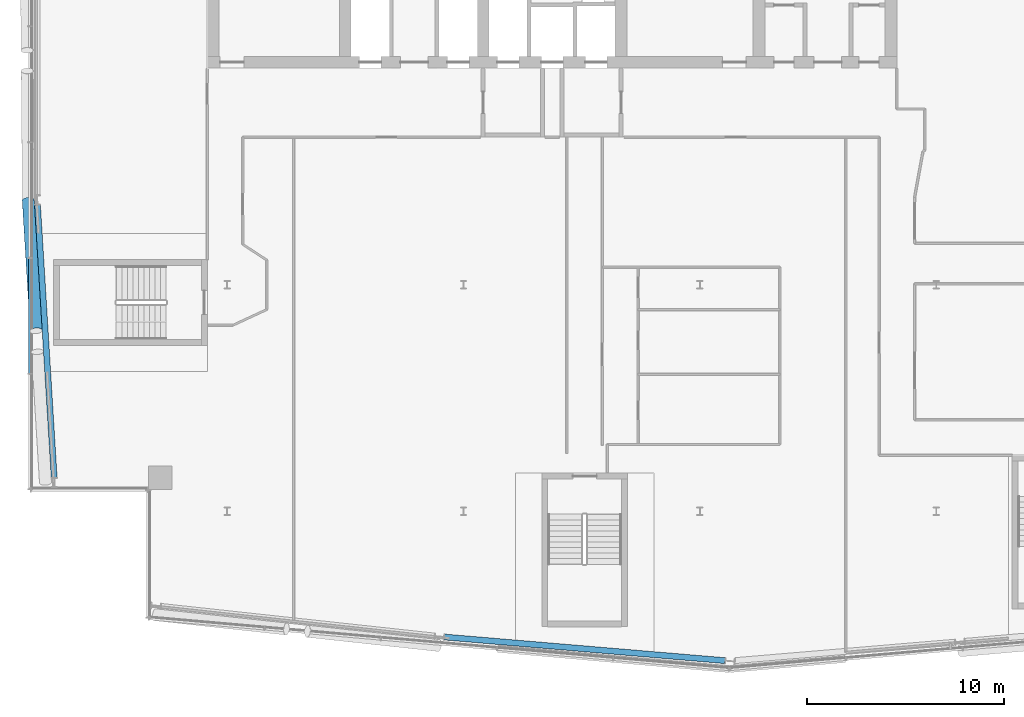
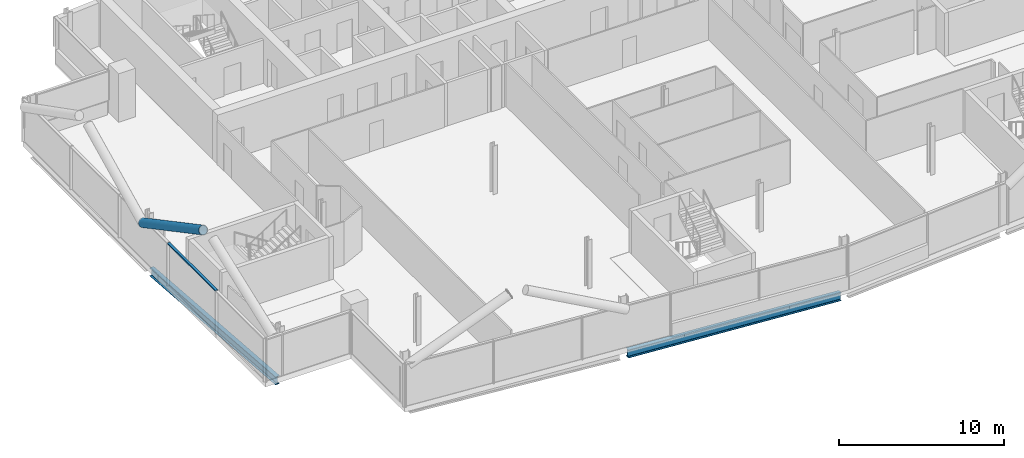
# One storey, part 6 of 25: 2 beams, 2 members, 1 element without a shape of its own.
"""IFC4 building model written with IfcOpenShell, lengths in metres."""

from ifc_helpers import new_model, si_unit, direction, frame, origin, origin_2d, place, context, subcontext, project, spatial, rectangle, hollow_circle, i_section, extrude, material, material_profile, profile_set, type_object, element, aggregate, save


model = new_model("IFC4")

# Units and contexts
model_context = context("Model", 3, precision=1e-05, world=origin(), true_north=direction((0.0, 1.0)))
body_context = subcontext(model_context, "Body", "Model", "MODEL_VIEW")
ifc_project = project(units=[si_unit("LENGTHUNIT", "METRE"), si_unit("AREAUNIT", "SQUARE_METRE"), si_unit("VOLUMEUNIT", "CUBIC_METRE"), si_unit("PLANEANGLEUNIT", "RADIAN"), si_unit("MASSUNIT", "GRAM", prefix="KILO")], contexts=[model_context])

# Site, building, storey
site_placement = place(None, origin())
site = spatial("IfcSite", under=ifc_project, at=site_placement, CompositionType="ELEMENT")
building_placement = place(site_placement, origin())
building = spatial("IfcBuilding", under=site, at=building_placement, Name="Wharfspan Tower", CompositionType="ELEMENT")
storey_placement = place(building_placement, frame((0.0, 0.0, 232.300049)))
storey = spatial("IfcBuildingStorey", under=building, at=storey_placement, Name="L58", CompositionType="ELEMENT", Elevation=232.300049)

# Beams
ifc_material_1 = material(Name="Steel S355J2", Category="steel")
ifc_material_profile_1 = material_profile(ifc_material_1, i_section(OverallWidth=0.300049, OverallDepth=0.600098, WebThickness=0.015381, FlangeThickness=0.030029, FilletRadius=0.0271, at=origin_2d()))
ifc_profile_set_1 = profile_set([ifc_material_profile_1], Name="Steel S355J2")
beam_type = type_object("IfcBeamType", Name="Edge beam HEB 600", PredefinedType="SPANDREL", material=ifc_profile_set_1)
beam_1_placement = place(storey_placement, frame((35.038574, 5.121582, -0.699951), z_axis=(0.996473, -0.083909, 0.0), x_axis=(0.083909, 0.996473, 0.0)))
element("IfcBeam", 1, at=beam_1_placement, inside=storey, type_object=beam_type, Name="Edge beam S1 L58 PS1.2 to PS1.3", PredefinedType="SPANDREL", context=body_context, shape_type="SweptSolid", body=[
    extrude(i_section(OverallWidth=0.300049, OverallDepth=0.600098, WebThickness=0.015381, FlangeThickness=0.030029, FilletRadius=0.0271, at=origin_2d()), origin(), (0.0, 0.0, 1.0), 14.277344),
])
beam_2_placement = place(storey_placement, frame((14.375732, 27.041992, -0.699951), z_axis=(0.061113, -0.998131, 0.0), x_axis=(0.998131, 0.061113, 0.0)))
element("IfcBeam", 2, at=beam_2_placement, inside=storey, type_object=beam_type, Name="Edge beam L58 PW.1 to PW.2", PredefinedType="SPANDREL", context=body_context, shape_type="SweptSolid", body=[
    extrude(i_section(OverallWidth=0.300049, OverallDepth=0.600098, WebThickness=0.015381, FlangeThickness=0.030029, FilletRadius=0.0271, at=origin_2d()), origin(), (0.0, 0.0, 1.0), 13.846436),
])

# Member
ifc_material_2 = material(Name="Steel S460NH", Category="steel")
ifc_material_profile_2 = material_profile(ifc_material_2, hollow_circle(Radius=0.304932, WallThickness=0.024902, at=origin_2d()))
ifc_profile_set_2 = profile_set([ifc_material_profile_2], Name="Steel S460NH")
member_type_1 = type_object("IfcMemberType", Name="Mega brace CHS 610x25", PredefinedType="BRACE", material=ifc_profile_set_2)
member_1_placement = place(storey_placement, frame((13.905029, 27.300049, 2.899902), z_axis=(0.054615, -0.892302, 0.448123), x_axis=(0.998132, 0.061091, -3e-06)))
element("IfcMember", 3, at=member_1_placement, inside=storey, type_object=member_type_1, Name="Mega brace W4 L59 part 1", PredefinedType="BRACE", context=body_context, shape_type="SweptSolid", body=[
    extrude(hollow_circle(Radius=0.304932, WallThickness=0.024902, at=origin_2d()), origin(), (0.0, 0.0, 1.0), 7.429443),
])

# Curtain wall, member
ifc_material_3 = material(Name="Aluminium 6063-T6", Category="aluminium")
curtain_wall_type = type_object("IfcCurtainWallType", Name="CURTAIN WALL PROW AND END", PredefinedType="NOTDEFINED", material=ifc_material_3)
curtain_wall_placement = place(storey_placement, origin())
curtain_wall = element("IfcCurtainWall", 4, at=curtain_wall_placement, inside=storey, type_object=curtain_wall_type, Name="Curtain wall W", PredefinedType="NOTDEFINED")
ifc_material_profile_3 = material_profile(ifc_material_3, rectangle(XDim=0.179932, YDim=0.080078, at=origin_2d()))
ifc_profile_set_3 = profile_set([ifc_material_profile_3], Name="Aluminium 6063-T6")
member_type_2 = type_object("IfcMemberType", Name="TRANSOM PROW AND END 80x180", PredefinedType="USERDEFINED", material=ifc_profile_set_3)
member_2_placement = place(storey_placement, frame((14.0, 24.330078, 3.159912), z_axis=(0.0, -1.0, 0.0), x_axis=(1.0, 0.0, 0.0)))
member_2 = element("IfcMember", 5, at=member_2_placement, type_object=member_type_2, Name="Curtain wall W transom 4", ObjectType="TRANSOM", PredefinedType="USERDEFINED", context=body_context, shape_type="SweptSolid", body=[
    extrude(rectangle(XDim=0.179932, YDim=0.080078, at=origin_2d()), origin(), (0.0, 0.0, 1.0), 5.820068),
])
aggregate(curtain_wall, [member_2])

save(model, "model.ifc")
